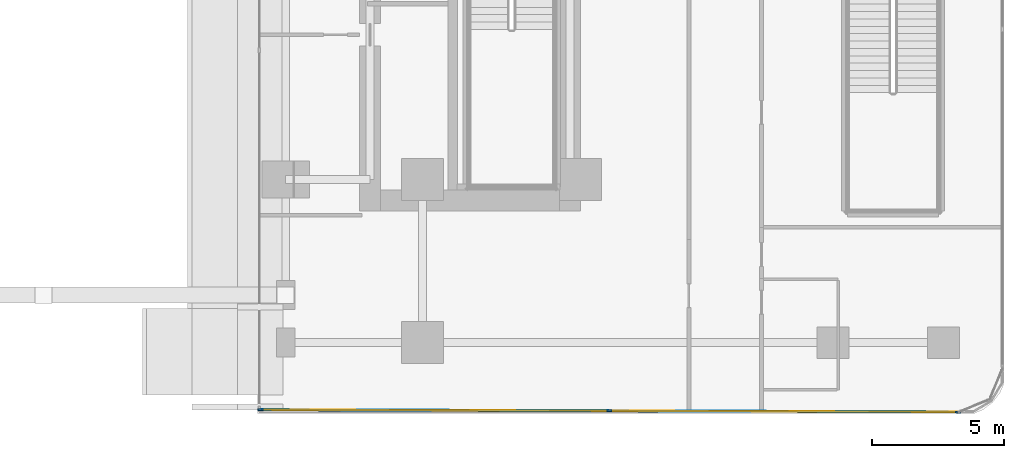
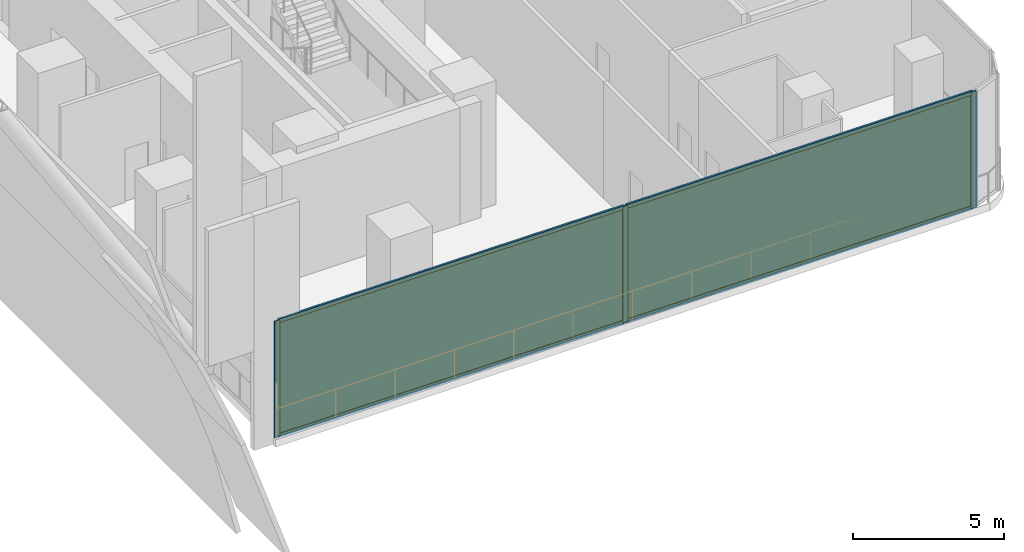
# One storey, part 15 of 31: 7 members, 2 plates, 1 curtain wall.
"""IFC4 building model written with IfcOpenShell, lengths in metres."""

from ifc_helpers import new_model, si_unit, direction, frame, frame_2d, origin, origin_2d, place, context, subcontext, project, spatial, rectangle, extrude, material, layer, layer_set, material_profile, profile_set, type_object, element, aggregate, save


model = new_model("IFC4")

# Units and contexts
model_context = context("Model", 3, precision=1e-05, world=origin(), true_north=direction((0.0, 1.0)))
body_context = subcontext(model_context, "Body", "Model", "MODEL_VIEW")
ifc_project = project(units=[si_unit("LENGTHUNIT", "METRE"), si_unit("AREAUNIT", "SQUARE_METRE"), si_unit("VOLUMEUNIT", "CUBIC_METRE"), si_unit("PLANEANGLEUNIT", "RADIAN"), si_unit("MASSUNIT", "GRAM", prefix="KILO")], contexts=[model_context])

# Member
ifc_material_1 = material(Name="Anodised Bronze Aluminium 6063-T6", Category="aluminium")
ifc_material_profile_1 = material_profile(ifc_material_1, rectangle(XDim=0.074951171875, YDim=0.199951171875, at=origin_2d()))
ifc_profile_set_1 = profile_set([ifc_material_profile_1], Name="Anodised Bronze Aluminium 6063-T6")
member_type_1 = type_object("IfcMemberType", Name="CW-POD Mullion 75x200", PredefinedType="MULLION", material=ifc_profile_set_1)
site_placement = place(None, origin())
building_placement = place(site_placement, origin())
storey_placement = place(building_placement, frame((0.0, 0.0, 6.0)))
member_1_placement = place(storey_placement, frame((34.751953125, -27.43994140625, 0.0), z_axis=(0.0, 0.0, 1.0), x_axis=(-0.003136561032, -0.99999508098, 0.0)))
member_1 = element("IfcMember", 1, at=member_1_placement, type_object=member_type_1, Name="CW-POD mullion 1", PredefinedType="MULLION", context=body_context, shape_type="SweptSolid", body=[
    extrude(rectangle(XDim=0.074951171875, YDim=0.199951171875, at=origin_2d()), origin(), (0.0, 0.0, 1.0), 4.699951171875),
])

member_2_placement = place(storey_placement, frame((21.49462890625, -27.398193359375, 0.0), z_axis=(0.0, 0.0, 1.0), x_axis=(-0.003136561032, -0.99999508098, 0.0)))
member_2 = element("IfcMember", 2, at=member_2_placement, type_object=member_type_1, Name="CW-POD mullion 2", PredefinedType="MULLION", context=body_context, shape_type="SweptSolid", body=[
    extrude(rectangle(XDim=0.074951171875, YDim=0.199951171875, at=origin_2d()), origin(), (0.0, 0.0, 1.0), 4.699951171875),
])

member_3_placement = place(storey_placement, frame((8.237548828125, -27.356689453125, 0.0), z_axis=(0.0, 0.0, 1.0), x_axis=(-0.003136561032, -0.99999508098, 0.0)))
member_3 = element("IfcMember", 3, at=member_3_placement, type_object=member_type_1, Name="CW-POD mullion 3", PredefinedType="MULLION", context=body_context, shape_type="SweptSolid", body=[
    extrude(rectangle(XDim=0.074951171875, YDim=0.199951171875, at=origin_2d()), origin(), (0.0, 0.0, 1.0), 4.699951171875),
])

ifc_material_2 = material(Name="Anodised Bronze Aluminium 6063-T6", Category="aluminium")
ifc_material_profile_2 = material_profile(ifc_material_2, rectangle(XDim=0.074951171875, YDim=0.159912109375, at=origin_2d()))
ifc_profile_set_2 = profile_set([ifc_material_profile_2], Name="Anodised Bronze Aluminium 6063-T6")
member_type_2 = type_object("IfcMemberType", Name="CW-POD Transom 75x160", PredefinedType="USERDEFINED", material=ifc_profile_set_2)
member_4_placement = place(storey_placement, frame((34.714599609375, -27.439697265625, 0.03759765625), z_axis=(-0.999995101838, 0.003129904106, 0.0), x_axis=(-0.003129904106, -0.999995101838, 0.0)))
member_4 = element("IfcMember", 4, at=member_4_placement, type_object=member_type_2, Name="CW-POD transom 1.1", ObjectType="TRANSOM", PredefinedType="USERDEFINED", context=body_context, shape_type="SweptSolid", body=[
    extrude(rectangle(XDim=0.074951171875, YDim=0.159912109375, at=origin_2d()), origin(), (0.0, 0.0, 1.0), 13.182373046875),
])

member_5_placement = place(storey_placement, frame((34.714599609375, -27.439697265625, 4.66259765625), z_axis=(-0.999995101838, 0.003129904106, 0.0), x_axis=(-0.003129904106, -0.999995101838, 0.0)))
member_5 = element("IfcMember", 5, at=member_5_placement, type_object=member_type_2, Name="CW-POD transom 1.2", ObjectType="TRANSOM", PredefinedType="USERDEFINED", context=body_context, shape_type="SweptSolid", body=[
    extrude(rectangle(XDim=0.074951171875, YDim=0.159912109375, at=origin_2d()), origin(), (0.0, 0.0, 1.0), 13.182373046875),
])

member_6_placement = place(storey_placement, frame((21.457275390625, -27.398193359375, 0.03759765625), z_axis=(-0.999995101838, 0.003129904106, 0.0), x_axis=(-0.003129904106, -0.999995101838, 0.0)))
member_6 = element("IfcMember", 6, at=member_6_placement, type_object=member_type_2, Name="CW-POD transom 2.1", ObjectType="TRANSOM", PredefinedType="USERDEFINED", context=body_context, shape_type="SweptSolid", body=[
    extrude(rectangle(XDim=0.074951171875, YDim=0.159912109375, at=origin_2d()), origin(), (0.0, 0.0, 1.0), 13.182373046875),
])

member_7_placement = place(storey_placement, frame((21.457275390625, -27.398193359375, 4.66259765625), z_axis=(-0.999995101838, 0.003129904106, 0.0), x_axis=(-0.003129904106, -0.999995101838, 0.0)))
member_7 = element("IfcMember", 7, at=member_7_placement, type_object=member_type_2, Name="CW-POD transom 2.2", ObjectType="TRANSOM", PredefinedType="USERDEFINED", context=body_context, shape_type="SweptSolid", body=[
    extrude(rectangle(XDim=0.074951171875, YDim=0.159912109375, at=origin_2d()), origin(), (0.0, 0.0, 1.0), 13.182373046875),
])

# Plate
ifc_material_3 = material(Name="Low-E Solar Control Laminated Glass", Category="glass")
ifc_layer_1 = layer(ifc_material_3, 0.031982421875, Name="Low-E Solar Control Laminated Glass")
ifc_layer_set_1 = layer_set([ifc_layer_1], Name="Low-E Solar Control Laminated Glass")
plate_type = type_object("IfcPlateType", Name="CW-POD Low-E Double Glazed Panel 32mm", PredefinedType="CURTAIN_PANEL", material=ifc_layer_set_1)
plate_1_placement = place(storey_placement, frame((28.123291015625, -27.419189453125, 0.0751953125), z_axis=(0.0, 0.0, 1.0), x_axis=(-0.99999508098, 0.003136561032, 0.0)))
plate_1 = element("IfcPlate", 8, at=plate_1_placement, type_object=plate_type, Name="CW-POD panel 1.1", PredefinedType="CURTAIN_PANEL", context=body_context, shape_type="SweptSolid", body=[
    extrude(rectangle(XDim=13.182373046875, YDim=0.031982421875, at=origin_2d()), origin(), (0.0, 0.0, 1.0), 4.550048828125),
])

plate_2_placement = place(storey_placement, frame((14.8662109375, -27.37744140625, 0.0751953125), z_axis=(0.0, 0.0, 1.0), x_axis=(-0.99999508098, 0.003136561032, 0.0)))
plate_2 = element("IfcPlate", 9, at=plate_2_placement, type_object=plate_type, Name="CW-POD panel 2.1", PredefinedType="CURTAIN_PANEL", context=body_context, shape_type="SweptSolid", body=[
    extrude(rectangle(XDim=13.182373046875, YDim=0.031982421875, at=origin_2d()), origin(), (0.0, 0.0, 1.0), 4.550048828125),
])

# Site, building, storey
site = spatial("IfcSite", under=ifc_project, at=site_placement, CompositionType="ELEMENT")
building = spatial("IfcBuilding", under=site, at=building_placement, Name="Khairoan Windgate Tower", CompositionType="ELEMENT")
storey = spatial("IfcBuildingStorey", under=building, at=storey_placement, Name="L02", CompositionType="ELEMENT", Elevation=6.0)

# Curtain wall
ifc_material_4 = material(Name="Anodised Bronze Aluminium 6063-T6", Category="aluminium")
ifc_layer_2 = layer(ifc_material_4, 0.199951171875, Name="Anodised Bronze Aluminium 6063-T6")
ifc_layer_set_2 = layer_set([ifc_layer_2], Name="Anodised Bronze Aluminium 6063-T6")
curtain_wall_type = type_object("IfcCurtainWallType", Name="Podium Arch Galleria Curtain Wall CW-POD", PredefinedType="NOTDEFINED", material=ifc_layer_set_2)
curtain_wall_placement = place(storey_placement, frame((34.78955078125, -27.43994140625, 0.0), z_axis=(0.0, 0.0, 1.0), x_axis=(-0.999995098465, 0.003130981522, 0.0)))
curtain_wall = element("IfcCurtainWall", 10, at=curtain_wall_placement, inside=storey, type_object=curtain_wall_type, Name="L02 Sculpted Podium Wing Curtain Wall 2.8", PredefinedType="NOTDEFINED", context=body_context, shape_type="SweptSolid", body=[
    extrude(rectangle(XDim=26.58984375, YDim=0.010009765625, at=frame_2d((13.294921875, 0.0))), origin(), (0.0, 0.0, 1.0), 4.699951171875),
])

aggregate(curtain_wall, [member_1, member_2, member_3, member_4, member_5, plate_1, member_6, member_7, plate_2])

save(model, "model.ifc")
